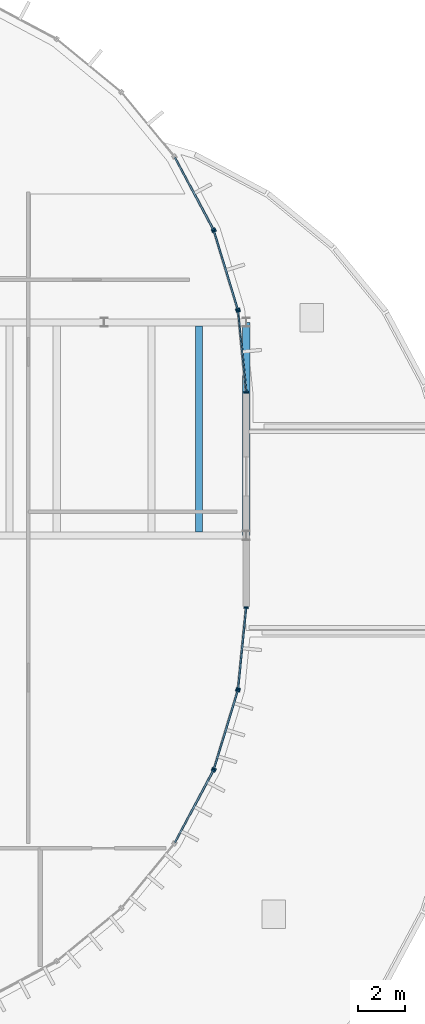
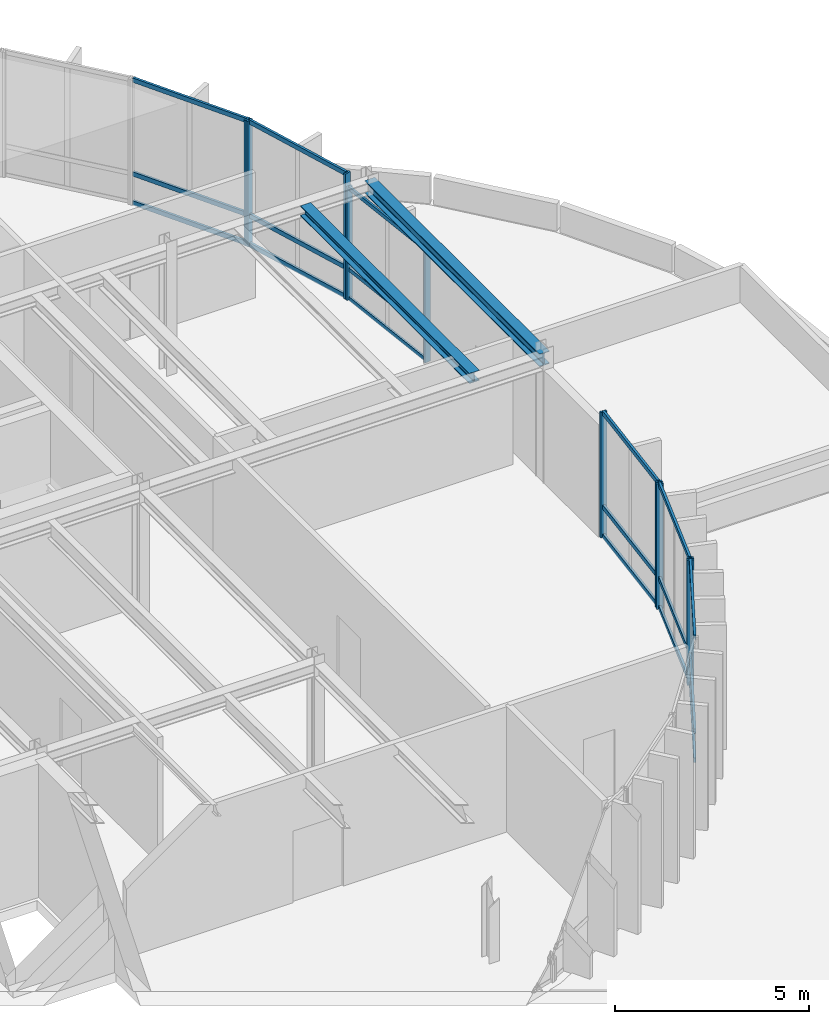
# One storey, part 15 of 29: 28 members, 2 beams, 6 elements without a shape of their own.
"""IFC4 building model written with IfcOpenShell, lengths in metres."""

from ifc_helpers import new_model, si_unit, direction, frame, origin, origin_2d, place, context, subcontext, project, spatial, rectangle, i_section, extrude, material, layer, layer_set, material_profile, profile_set, type_object, element, aggregate, save


model = new_model("IFC4")

# Units and contexts
model_context = context("Model", 3, precision=1e-05, world=origin(), true_north=direction((0.0, 1.0)))
body_context = subcontext(model_context, "Body", "Model", "MODEL_VIEW")
ifc_project = project(units=[si_unit("LENGTHUNIT", "METRE"), si_unit("AREAUNIT", "SQUARE_METRE"), si_unit("VOLUMEUNIT", "CUBIC_METRE"), si_unit("PLANEANGLEUNIT", "RADIAN"), si_unit("MASSUNIT", "GRAM", prefix="KILO")], contexts=[model_context])

# Site, building, storey
site_placement = place(None, origin())
site = spatial("IfcSite", under=ifc_project, at=site_placement, CompositionType="ELEMENT")
building_placement = place(site_placement, origin())
building = spatial("IfcBuilding", under=site, at=building_placement, Name="Montealbar Specialist Clinic", CompositionType="ELEMENT")
storey_placement = place(building_placement, frame((0.0, 0.0, 22.199951171875)))
storey = spatial("IfcBuildingStorey", under=building, at=storey_placement, Name="L05", CompositionType="ELEMENT", Elevation=22.199951171875)

# Beams
ifc_material_1 = material(Name="Steel S355", Category="steel")
ifc_material_profile_1 = material_profile(ifc_material_1, i_section(OverallWidth=0.300048828125, OverallDepth=0.39990234375, WebThickness=0.013427734375, FlangeThickness=0.02392578125, FilletRadius=0.027099609375, at=origin_2d()), Name="HEB 400", Category="steel")
ifc_profile_set_1 = profile_set([ifc_material_profile_1], Name="Steel S355")
beam_type_1 = type_object("IfcBeamType", Name="BM-GIRD-HEB400-EXT", PredefinedType="BEAM", material=ifc_profile_set_1)
beam_1_placement = place(storey_placement, frame((111.0, 27.0, 3.739990234375), z_axis=(0.0, 1.0, 0.0), x_axis=(-1.0, 0.0, 0.0)))
element("IfcBeam", 1, at=beam_1_placement, inside=storey, type_object=beam_type_1, Name="Beam GY-L05-1110-270-360", PredefinedType="BEAM", context=body_context, shape_type="SweptSolid", body=[
    extrude(i_section(OverallWidth=0.300048828125, OverallDepth=0.39990234375, WebThickness=0.013427734375, FlangeThickness=0.02392578125, FilletRadius=0.027099609375, at=origin_2d()), origin(), (0.0, 0.0, 1.0), 9.0),
])
ifc_material_profile_2 = material_profile(ifc_material_1, i_section(OverallWidth=0.300048828125, OverallDepth=0.320068359375, WebThickness=0.011474609375, FlangeThickness=0.0205078125, FilletRadius=0.027099609375, at=origin_2d()), Name="HEB 320", Category="steel")
ifc_profile_set_2 = profile_set([ifc_material_profile_2], Name="Steel S355")
beam_type_2 = type_object("IfcBeamType", Name="BM-JST-HEB320", PredefinedType="JOIST", material=ifc_profile_set_2)
beam_2_placement = place(storey_placement, frame((109.0, 27.14990234375, 3.780029296875), z_axis=(0.0, 1.0, 0.0), x_axis=(-1.0, 0.0, 0.0)))
element("IfcBeam", 2, at=beam_2_placement, inside=storey, type_object=beam_type_2, Name="Beam JST-L05-1090-272-358", PredefinedType="JOIST", context=body_context, shape_type="SweptSolid", body=[
    extrude(i_section(OverallWidth=0.300048828125, OverallDepth=0.320068359375, WebThickness=0.011474609375, FlangeThickness=0.0205078125, FilletRadius=0.027099609375, at=origin_2d()), origin(), (0.0, 0.0, 1.0), 8.7001953125),
])

# Curtain wall, member
ifc_material_2 = material(Name="Low-E double glazing", Category="glass")
ifc_layer_1 = layer(ifc_material_2, 0.199951171875, Name="Low-E double glazing", Category="glass")
ifc_layer_set_1 = layer_set([ifc_layer_1], Name="Low-E double glazing")
curtain_wall_type_1 = type_object("IfcCurtainWallType", Name="CW-TYPE-19", PredefinedType="NOTDEFINED", material=ifc_layer_set_1)
curtain_wall_1_placement = place(storey_placement, origin())
curtain_wall_1 = element("IfcCurtainWall", 3, at=curtain_wall_1_placement, inside=storey, type_object=curtain_wall_type_1, Name="Unitised Curtain Wall CW-L05-1080-430-1096-399-222", PredefinedType="NOTDEFINED")
ifc_material_3 = material(Name="Anodised aluminium EN AW-6063", Category="aluminium")
ifc_material_profile_3 = material_profile(ifc_material_3, rectangle(XDim=0.070068359375, YDim=0.179931640625, at=origin_2d()), Name="ALU 70x180", Category="aluminium")
ifc_profile_set_3 = profile_set([ifc_material_profile_3], Name="Anodised aluminium EN AW-6063")
member_type_1 = type_object("IfcMemberType", Name="CW-MUL-200", PredefinedType="MULLION", material=ifc_profile_set_3)
member_1_placement = place(storey_placement, frame((109.611083984375, 39.923095703125, 0.0), z_axis=(0.0, 0.0, 1.0), x_axis=(0.471529268958, -0.881850411644, 0.0)))
member_1 = element("IfcMember", 4, at=member_1_placement, type_object=member_type_1, Name="Curtain Wall Mullion CW-L05-1080-430-1096-399-222-01", PredefinedType="MULLION", context=body_context, shape_type="SweptSolid", body=[
    extrude(rectangle(XDim=0.070068359375, YDim=0.179931640625, at=origin_2d()), origin(), (0.0, 0.0, 1.0), 3.93994140625),
])

# Curtain wall, members
curtain_wall_2_placement = place(storey_placement, origin())
curtain_wall_2 = element("IfcCurtainWall", 5, at=curtain_wall_2_placement, inside=storey, type_object=curtain_wall_type_1, Name="Unitised Curtain Wall CW-L05-1096-399-1107-365-222", PredefinedType="NOTDEFINED")
member_2_placement = place(storey_placement, frame((109.64208984375, 39.85009765625, 0.0), z_axis=(0.0, 0.0, 1.0), x_axis=(0.290259134399, -0.956948083701, 0.0)))
member_2 = element("IfcMember", 6, at=member_2_placement, type_object=member_type_1, Name="Curtain Wall Mullion CW-L05-1096-399-1107-365-222-00", PredefinedType="MULLION", context=body_context, shape_type="SweptSolid", body=[
    extrude(rectangle(XDim=0.070068359375, YDim=0.179931640625, at=origin_2d()), origin(), (0.0, 0.0, 1.0), 3.93994140625),
])
member_3_placement = place(storey_placement, frame((110.64208984375, 36.550048828125, 0.0), z_axis=(0.0, 0.0, 1.0), x_axis=(0.290259134399, -0.956948083701, 0.0)))
member_3 = element("IfcMember", 7, at=member_3_placement, type_object=member_type_1, Name="Curtain Wall Mullion CW-L05-1096-399-1107-365-222-01", PredefinedType="MULLION", context=body_context, shape_type="SweptSolid", body=[
    extrude(rectangle(XDim=0.070068359375, YDim=0.179931640625, at=origin_2d()), origin(), (0.0, 0.0, 1.0), 3.93994140625),
])

ifc_layer_2 = layer(ifc_material_2, 0.199951171875, Name="Low-E double glazing", Category="glass")
ifc_layer_set_2 = layer_set([ifc_layer_2], Name="Low-E double glazing")
curtain_wall_type_2 = type_object("IfcCurtainWallType", Name="CW-TYPE-18", PredefinedType="NOTDEFINED", material=ifc_layer_set_2)
curtain_wall_3_placement = place(storey_placement, origin())
curtain_wall_3 = element("IfcCurtainWall", 8, at=curtain_wall_3_placement, inside=storey, type_object=curtain_wall_type_2, Name="Unitised Curtain Wall CW-L05-1107-365-1110-330-222", PredefinedType="NOTDEFINED")
member_4_placement = place(storey_placement, frame((110.657958984375, 36.471923828125, 0.0), z_axis=(0.0, 0.0, 1.0), x_axis=(0.098044697094, -0.995182012183, 0.0)))
member_4 = element("IfcMember", 9, at=member_4_placement, type_object=member_type_1, Name="Curtain Wall Mullion CW-L05-1107-365-1110-330-222-00", PredefinedType="MULLION", context=body_context, shape_type="SweptSolid", body=[
    extrude(rectangle(XDim=0.070068359375, YDim=0.179931640625, at=origin_2d()), origin(), (0.0, 0.0, 1.0), 3.5400390625),
])
member_5_placement = place(storey_placement, frame((110.99609375, 33.0400390625, 0.0), z_axis=(0.0, 0.0, 1.0), x_axis=(0.098044697094, -0.995182012183, 0.0)))
member_5 = element("IfcMember", 10, at=member_5_placement, type_object=member_type_1, Name="Curtain Wall Mullion CW-L05-1107-365-1110-330-222-01", PredefinedType="MULLION", context=body_context, shape_type="SweptSolid", body=[
    extrude(rectangle(XDim=0.070068359375, YDim=0.179931640625, at=origin_2d()), origin(), (0.0, 0.0, 1.0), 3.5400390625),
])

curtain_wall_4_placement = place(storey_placement, origin())
curtain_wall_4 = element("IfcCurtainWall", 11, at=curtain_wall_4_placement, inside=storey, type_object=curtain_wall_type_1, Name="Unitised Curtain Wall CW-L05-1110-240-1107-205-222", PredefinedType="NOTDEFINED")
member_6_placement = place(storey_placement, frame((110.99609375, 23.9599609375, 0.0), z_axis=(0.0, 0.0, 1.0), x_axis=(-0.098044697094, -0.995182012183, 0.0)))
member_6 = element("IfcMember", 12, at=member_6_placement, type_object=member_type_1, Name="Curtain Wall Mullion CW-L05-1110-240-1107-205-222-00", PredefinedType="MULLION", context=body_context, shape_type="SweptSolid", body=[
    extrude(rectangle(XDim=0.070068359375, YDim=0.179931640625, at=origin_2d()), origin(), (0.0, 0.0, 1.0), 3.93994140625),
])
member_7_placement = place(storey_placement, frame((110.657958984375, 20.528076171875, 0.0), z_axis=(0.0, 0.0, 1.0), x_axis=(-0.098044697094, -0.995182012183, 0.0)))
member_7 = element("IfcMember", 13, at=member_7_placement, type_object=member_type_1, Name="Curtain Wall Mullion CW-L05-1110-240-1107-205-222-01", PredefinedType="MULLION", context=body_context, shape_type="SweptSolid", body=[
    extrude(rectangle(XDim=0.070068359375, YDim=0.179931640625, at=origin_2d()), origin(), (0.0, 0.0, 1.0), 3.93994140625),
])

curtain_wall_5_placement = place(storey_placement, origin())
curtain_wall_5 = element("IfcCurtainWall", 14, at=curtain_wall_5_placement, inside=storey, type_object=curtain_wall_type_1, Name="Unitised Curtain Wall CW-L05-1107-205-1096-171-222", PredefinedType="NOTDEFINED")
member_8_placement = place(storey_placement, frame((110.64208984375, 20.449951171875, 0.0), z_axis=(0.0, 0.0, 1.0), x_axis=(-0.290259134399, -0.956948083701, 0.0)))
member_8 = element("IfcMember", 15, at=member_8_placement, type_object=member_type_1, Name="Curtain Wall Mullion CW-L05-1107-205-1096-171-222-00", PredefinedType="MULLION", context=body_context, shape_type="SweptSolid", body=[
    extrude(rectangle(XDim=0.070068359375, YDim=0.179931640625, at=origin_2d()), origin(), (0.0, 0.0, 1.0), 3.93994140625),
])
member_9_placement = place(storey_placement, frame((109.64208984375, 17.14990234375, 0.0), z_axis=(0.0, 0.0, 1.0), x_axis=(-0.290259134399, -0.956948083701, 0.0)))
member_9 = element("IfcMember", 16, at=member_9_placement, type_object=member_type_1, Name="Curtain Wall Mullion CW-L05-1107-205-1096-171-222-01", PredefinedType="MULLION", context=body_context, shape_type="SweptSolid", body=[
    extrude(rectangle(XDim=0.070068359375, YDim=0.179931640625, at=origin_2d()), origin(), (0.0, 0.0, 1.0), 3.93994140625),
])

# Curtain wall, member
curtain_wall_6_placement = place(storey_placement, origin())
curtain_wall_6 = element("IfcCurtainWall", 17, at=curtain_wall_6_placement, inside=storey, type_object=curtain_wall_type_1, Name="Unitised Curtain Wall CW-L05-1096-171-1080-140-222", PredefinedType="NOTDEFINED")
member_10_placement = place(storey_placement, frame((109.611083984375, 17.076904296875, 0.0), z_axis=(0.0, 0.0, 1.0), x_axis=(-0.471529268958, -0.881850411644, 0.0)))
member_10 = element("IfcMember", 18, at=member_10_placement, type_object=member_type_1, Name="Curtain Wall Mullion CW-L05-1096-171-1080-140-222-00", PredefinedType="MULLION", context=body_context, shape_type="SweptSolid", body=[
    extrude(rectangle(XDim=0.070068359375, YDim=0.179931640625, at=origin_2d()), origin(), (0.0, 0.0, 1.0), 3.93994140625),
])

# Member
ifc_material_4 = material(Name="Powder-coated aluminium", Category="aluminium")
ifc_material_profile_4 = material_profile(ifc_material_4, rectangle(XDim=0.06005859375, YDim=0.1201171875, at=origin_2d()), Name="ALU 60x120", Category="aluminium")
ifc_profile_set_4 = profile_set([ifc_material_profile_4], Name="Powder-coated aluminium")
member_type_2 = type_object("IfcMemberType", Name="CW-TRN-120", PredefinedType="USERDEFINED", material=ifc_profile_set_4)
member_11_placement = place(storey_placement, frame((110.658935546875, 36.4619140625, 0.0400390625), z_axis=(0.098058232162, -0.995180678623, 0.0), x_axis=(0.995180678623, 0.098058232162, 0.0)))
member_11 = element("IfcMember", 19, at=member_11_placement, type_object=member_type_2, Name="Curtain Wall Transom CW-L05-1107-365-1110-330-222-00", ObjectType="TRANSOM", PredefinedType="USERDEFINED", context=body_context, shape_type="SweptSolid", body=[
    extrude(rectangle(XDim=0.06005859375, YDim=0.1201171875, at=origin_2d()), origin(), (0.0, 0.0, 1.0), 3.428466796875),
])

member_12_placement = place(storey_placement, frame((110.658935546875, 36.4619140625, 0.949951171875), z_axis=(0.098058232162, -0.995180678623, 0.0), x_axis=(0.995180678623, 0.098058232162, 0.0)))
member_12 = element("IfcMember", 20, at=member_12_placement, type_object=member_type_2, Name="Curtain Wall Transom CW-L05-1107-365-1110-330-222-01", ObjectType="TRANSOM", PredefinedType="USERDEFINED", context=body_context, shape_type="SweptSolid", body=[
    extrude(rectangle(XDim=0.06005859375, YDim=0.1201171875, at=origin_2d()), origin(), (0.0, 0.0, 1.0), 3.428466796875),
])

member_13_placement = place(storey_placement, frame((110.658935546875, 36.4619140625, 3.5), z_axis=(0.098058232162, -0.995180678623, 0.0), x_axis=(0.995180678623, 0.098058232162, 0.0)))
member_13 = element("IfcMember", 21, at=member_13_placement, type_object=member_type_2, Name="Curtain Wall Transom CW-L05-1107-365-1110-330-222-02", ObjectType="TRANSOM", PredefinedType="USERDEFINED", context=body_context, shape_type="SweptSolid", body=[
    extrude(rectangle(XDim=0.06005859375, YDim=0.1201171875, at=origin_2d()), origin(), (0.0, 0.0, 1.0), 3.428466796875),
])

aggregate(curtain_wall_3, [member_4, member_5, member_11, member_12, member_13])

ifc_material_profile_5 = material_profile(ifc_material_4, rectangle(XDim=0.070068359375, YDim=0.139892578125, at=origin_2d()), Name="ALU 70x140", Category="aluminium")
ifc_profile_set_5 = profile_set([ifc_material_profile_5], Name="Powder-coated aluminium")
member_type_3 = type_object("IfcMemberType", Name="CW-TRN-140", PredefinedType="USERDEFINED", material=ifc_profile_set_5)
member_14_placement = place(storey_placement, frame((107.989990234375, 42.9560546875, 0.0400390625), z_axis=(0.471286558069, -0.881980147273, 0.0), x_axis=(0.881980147273, 0.471286558069, 0.0)))
member_14 = element("IfcMember", 22, at=member_14_placement, type_object=member_type_3, Name="Curtain Wall Transom CW-L05-1080-430-1096-399-222-00", ObjectType="TRANSOM", PredefinedType="USERDEFINED", context=body_context, shape_type="SweptSolid", body=[
    extrude(rectangle(XDim=0.070068359375, YDim=0.139892578125, at=origin_2d()), origin(), (0.0, 0.0, 1.0), 3.428955078125),
])

member_15_placement = place(storey_placement, frame((107.989990234375, 42.9560546875, 0.949951171875), z_axis=(0.471286558069, -0.881980147273, 0.0), x_axis=(0.881980147273, 0.471286558069, 0.0)))
member_15 = element("IfcMember", 23, at=member_15_placement, type_object=member_type_3, Name="Curtain Wall Transom CW-L05-1080-430-1096-399-222-01", ObjectType="TRANSOM", PredefinedType="USERDEFINED", context=body_context, shape_type="SweptSolid", body=[
    extrude(rectangle(XDim=0.070068359375, YDim=0.139892578125, at=origin_2d()), origin(), (0.0, 0.0, 1.0), 3.428955078125),
])

member_16_placement = place(storey_placement, frame((107.989990234375, 42.9560546875, 3.900146484375), z_axis=(0.471286558069, -0.881980147273, 0.0), x_axis=(0.881980147273, 0.471286558069, 0.0)))
member_16 = element("IfcMember", 24, at=member_16_placement, type_object=member_type_3, Name="Curtain Wall Transom CW-L05-1080-430-1096-399-222-02", ObjectType="TRANSOM", PredefinedType="USERDEFINED", context=body_context, shape_type="SweptSolid", body=[
    extrude(rectangle(XDim=0.070068359375, YDim=0.139892578125, at=origin_2d()), origin(), (0.0, 0.0, 1.0), 3.428955078125),
])

aggregate(curtain_wall_1, [member_1, member_14, member_15, member_16])

member_17_placement = place(storey_placement, frame((109.64501953125, 39.840087890625, 0.0400390625), z_axis=(0.289993555849, -0.957028598092, 0.0), x_axis=(0.957028598092, 0.289993555849, 0.0)))
member_17 = element("IfcMember", 25, at=member_17_placement, type_object=member_type_3, Name="Curtain Wall Transom CW-L05-1096-399-1107-365-222-00", ObjectType="TRANSOM", PredefinedType="USERDEFINED", context=body_context, shape_type="SweptSolid", body=[
    extrude(rectangle(XDim=0.070068359375, YDim=0.139892578125, at=origin_2d()), origin(), (0.0, 0.0, 1.0), 3.42724609375),
])

member_18_placement = place(storey_placement, frame((109.64501953125, 39.840087890625, 0.949951171875), z_axis=(0.289993555849, -0.957028598092, 0.0), x_axis=(0.957028598092, 0.289993555849, 0.0)))
member_18 = element("IfcMember", 26, at=member_18_placement, type_object=member_type_3, Name="Curtain Wall Transom CW-L05-1096-399-1107-365-222-01", ObjectType="TRANSOM", PredefinedType="USERDEFINED", context=body_context, shape_type="SweptSolid", body=[
    extrude(rectangle(XDim=0.070068359375, YDim=0.139892578125, at=origin_2d()), origin(), (0.0, 0.0, 1.0), 3.42724609375),
])

member_19_placement = place(storey_placement, frame((109.64501953125, 39.840087890625, 3.900146484375), z_axis=(0.289993555849, -0.957028598092, 0.0), x_axis=(0.957028598092, 0.289993555849, 0.0)))
member_19 = element("IfcMember", 27, at=member_19_placement, type_object=member_type_3, Name="Curtain Wall Transom CW-L05-1096-399-1107-365-222-02", ObjectType="TRANSOM", PredefinedType="USERDEFINED", context=body_context, shape_type="SweptSolid", body=[
    extrude(rectangle(XDim=0.070068359375, YDim=0.139892578125, at=origin_2d()), origin(), (0.0, 0.0, 1.0), 3.42724609375),
])

aggregate(curtain_wall_2, [member_2, member_3, member_17, member_18, member_19])

member_20_placement = place(storey_placement, frame((110.9951171875, 23.949951171875, 0.0400390625), z_axis=(-0.098058232162, -0.995180678623, 0.0), x_axis=(0.995180678623, -0.098058232162, 0.0)))
member_20 = element("IfcMember", 28, at=member_20_placement, type_object=member_type_3, Name="Curtain Wall Transom CW-L05-1110-240-1107-205-222-00", ObjectType="TRANSOM", PredefinedType="USERDEFINED", context=body_context, shape_type="SweptSolid", body=[
    extrude(rectangle(XDim=0.070068359375, YDim=0.139892578125, at=origin_2d()), origin(), (0.0, 0.0, 1.0), 3.428466796875),
])

member_21_placement = place(storey_placement, frame((110.9951171875, 23.949951171875, 0.949951171875), z_axis=(-0.098058232162, -0.995180678623, 0.0), x_axis=(0.995180678623, -0.098058232162, 0.0)))
member_21 = element("IfcMember", 29, at=member_21_placement, type_object=member_type_3, Name="Curtain Wall Transom CW-L05-1110-240-1107-205-222-01", ObjectType="TRANSOM", PredefinedType="USERDEFINED", context=body_context, shape_type="SweptSolid", body=[
    extrude(rectangle(XDim=0.070068359375, YDim=0.139892578125, at=origin_2d()), origin(), (0.0, 0.0, 1.0), 3.428466796875),
])

member_22_placement = place(storey_placement, frame((110.9951171875, 23.949951171875, 3.900146484375), z_axis=(-0.098058232162, -0.995180678623, 0.0), x_axis=(0.995180678623, -0.098058232162, 0.0)))
member_22 = element("IfcMember", 30, at=member_22_placement, type_object=member_type_3, Name="Curtain Wall Transom CW-L05-1110-240-1107-205-222-02", ObjectType="TRANSOM", PredefinedType="USERDEFINED", context=body_context, shape_type="SweptSolid", body=[
    extrude(rectangle(XDim=0.070068359375, YDim=0.139892578125, at=origin_2d()), origin(), (0.0, 0.0, 1.0), 3.428466796875),
])

aggregate(curtain_wall_4, [member_6, member_7, member_20, member_21, member_22])

member_23_placement = place(storey_placement, frame((110.638916015625, 20.43994140625, 0.0400390625), z_axis=(-0.289993555849, -0.957028598092, 0.0), x_axis=(0.957028598092, -0.289993555849, 0.0)))
member_23 = element("IfcMember", 31, at=member_23_placement, type_object=member_type_3, Name="Curtain Wall Transom CW-L05-1107-205-1096-171-222-00", ObjectType="TRANSOM", PredefinedType="USERDEFINED", context=body_context, shape_type="SweptSolid", body=[
    extrude(rectangle(XDim=0.070068359375, YDim=0.139892578125, at=origin_2d()), origin(), (0.0, 0.0, 1.0), 3.42724609375),
])

member_24_placement = place(storey_placement, frame((110.638916015625, 20.43994140625, 0.949951171875), z_axis=(-0.289993555849, -0.957028598092, 0.0), x_axis=(0.957028598092, -0.289993555849, 0.0)))
member_24 = element("IfcMember", 32, at=member_24_placement, type_object=member_type_3, Name="Curtain Wall Transom CW-L05-1107-205-1096-171-222-01", ObjectType="TRANSOM", PredefinedType="USERDEFINED", context=body_context, shape_type="SweptSolid", body=[
    extrude(rectangle(XDim=0.070068359375, YDim=0.139892578125, at=origin_2d()), origin(), (0.0, 0.0, 1.0), 3.42724609375),
])

member_25_placement = place(storey_placement, frame((110.638916015625, 20.43994140625, 3.900146484375), z_axis=(-0.289993555849, -0.957028598092, 0.0), x_axis=(0.957028598092, -0.289993555849, 0.0)))
member_25 = element("IfcMember", 33, at=member_25_placement, type_object=member_type_3, Name="Curtain Wall Transom CW-L05-1107-205-1096-171-222-02", ObjectType="TRANSOM", PredefinedType="USERDEFINED", context=body_context, shape_type="SweptSolid", body=[
    extrude(rectangle(XDim=0.070068359375, YDim=0.139892578125, at=origin_2d()), origin(), (0.0, 0.0, 1.0), 3.42724609375),
])

aggregate(curtain_wall_5, [member_8, member_9, member_23, member_24, member_25])

member_26_placement = place(storey_placement, frame((109.60595703125, 17.068115234375, 0.0400390625), z_axis=(-0.471286558069, -0.881980147273, 0.0), x_axis=(0.881980147273, -0.471286558069, 0.0)))
member_26 = element("IfcMember", 34, at=member_26_placement, type_object=member_type_3, Name="Curtain Wall Transom CW-L05-1096-171-1080-140-222-00", ObjectType="TRANSOM", PredefinedType="USERDEFINED", context=body_context, shape_type="SweptSolid", body=[
    extrude(rectangle(XDim=0.070068359375, YDim=0.139892578125, at=origin_2d()), origin(), (0.0, 0.0, 1.0), 3.428955078125),
])

member_27_placement = place(storey_placement, frame((109.60595703125, 17.068115234375, 0.949951171875), z_axis=(-0.471286558069, -0.881980147273, 0.0), x_axis=(0.881980147273, -0.471286558069, 0.0)))
member_27 = element("IfcMember", 35, at=member_27_placement, type_object=member_type_3, Name="Curtain Wall Transom CW-L05-1096-171-1080-140-222-01", ObjectType="TRANSOM", PredefinedType="USERDEFINED", context=body_context, shape_type="SweptSolid", body=[
    extrude(rectangle(XDim=0.070068359375, YDim=0.139892578125, at=origin_2d()), origin(), (0.0, 0.0, 1.0), 3.428955078125),
])

member_28_placement = place(storey_placement, frame((109.60595703125, 17.068115234375, 3.900146484375), z_axis=(-0.471286558069, -0.881980147273, 0.0), x_axis=(0.881980147273, -0.471286558069, 0.0)))
member_28 = element("IfcMember", 36, at=member_28_placement, type_object=member_type_3, Name="Curtain Wall Transom CW-L05-1096-171-1080-140-222-02", ObjectType="TRANSOM", PredefinedType="USERDEFINED", context=body_context, shape_type="SweptSolid", body=[
    extrude(rectangle(XDim=0.070068359375, YDim=0.139892578125, at=origin_2d()), origin(), (0.0, 0.0, 1.0), 3.428955078125),
])

aggregate(curtain_wall_6, [member_10, member_26, member_27, member_28])

save(model, "model.ifc")
